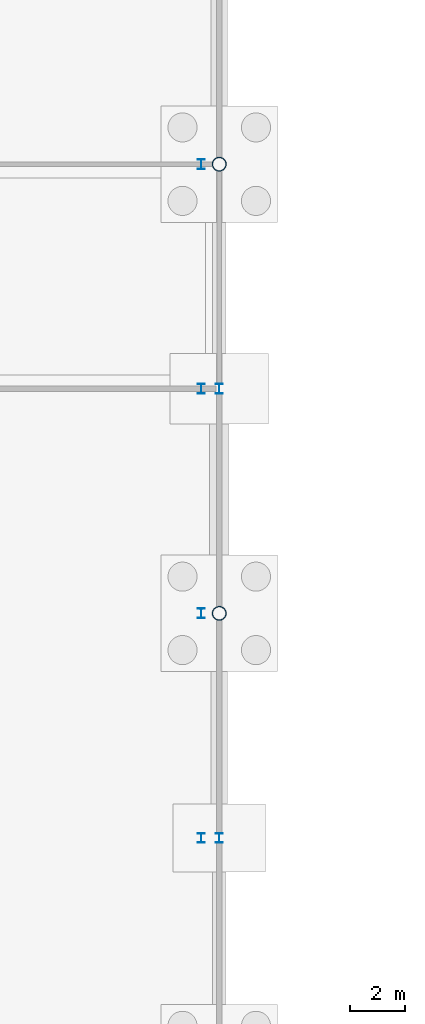
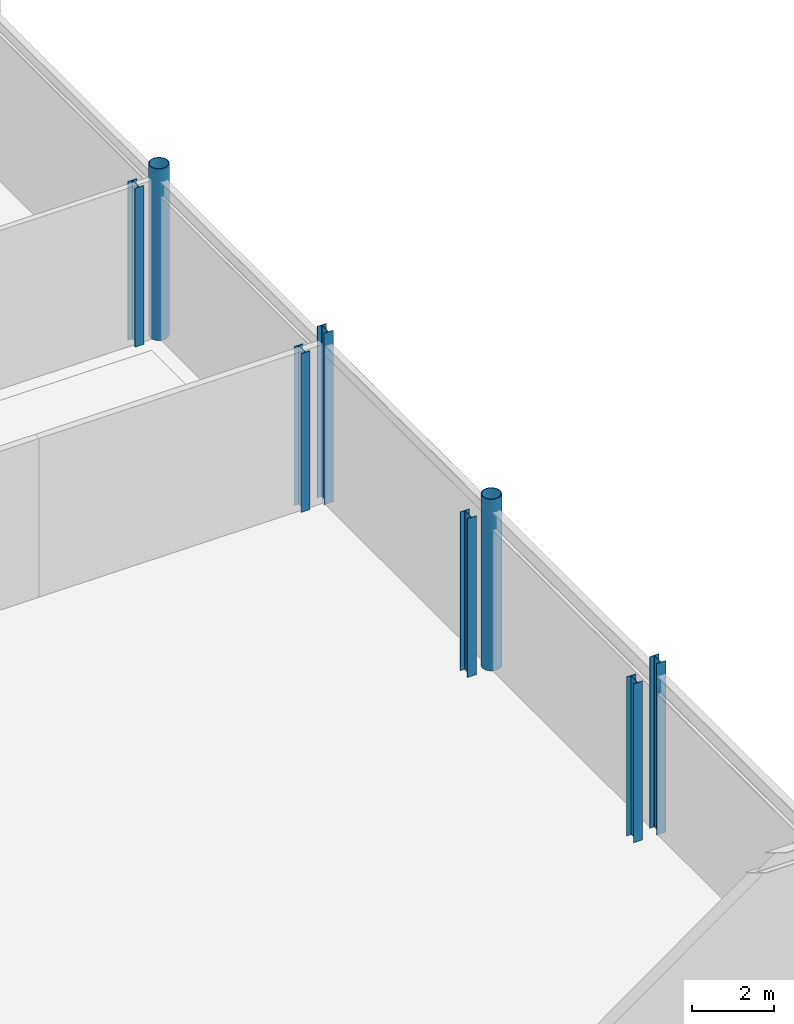
# One storey, part 19 of 67: 8 columns.
"""IFC4 building model written with IfcOpenShell, lengths in metres."""

from ifc_helpers import new_model, si_unit, direction, frame, origin, origin_2d, place, context, subcontext, project, spatial, hollow_circle, i_section, extrude, material, material_profile, profile_set, type_object, element, save


model = new_model("IFC4")

# Units and contexts
model_context = context("Model", 3, precision=1e-05, world=origin(), true_north=direction((0.0, 1.0)))
body_context = subcontext(model_context, "Body", "Model", "MODEL_VIEW")
ifc_project = project(units=[si_unit("LENGTHUNIT", "METRE"), si_unit("AREAUNIT", "SQUARE_METRE"), si_unit("VOLUMEUNIT", "CUBIC_METRE"), si_unit("PLANEANGLEUNIT", "RADIAN"), si_unit("MASSUNIT", "GRAM", prefix="KILO")], contexts=[model_context])

# Site, building, storey
site_placement = place(None, origin())
site = spatial("IfcSite", under=ifc_project, at=site_placement, CompositionType="ELEMENT")
building_placement = place(site_placement, origin())
building = spatial("IfcBuilding", under=site, at=building_placement, Name="Vaudrelin Polytechnic", CompositionType="ELEMENT")
storey_placement = place(building_placement, frame((0.0, 0.0, -5.10009765625)))
storey = spatial("IfcBuildingStorey", under=building, at=storey_placement, Name="B1", CompositionType="ELEMENT", Elevation=-5.10009765625)

# Columns
ifc_material_1 = material(Name="Steel CSA G40.21 350WT", Category="steel")
ifc_material_profile_1 = material_profile(ifc_material_1, hollow_circle(Radius=0.25390625, WallThickness=0.01904296875, at=origin_2d()), Name="CHS508.0x19.1")
ifc_profile_set_1 = profile_set([ifc_material_profile_1], Name="Steel CSA G40.21 350WT")
column_type_1 = type_object("IfcColumnType", Name="COL-C-TR508", PredefinedType="COLUMN", material=ifc_profile_set_1)
for number, where, z_axis, x_axis, name in (
    (1, (32.39990234375, 64.800048828125, 0.0), (0.0, 0.0, 1.0), (1.0, 0.0, 0.0), "Column B1 5-9"),
    (2, (32.39990234375, 81.0, 0.0), (0.0, 0.0, 1.0), (1.0, 0.0, 0.0), "Column B1 5-11"),
):
    element("IfcColumn", number, at=place(storey_placement, frame(where, z_axis=z_axis, x_axis=x_axis)), inside=storey, type_object=column_type_1, Name=name, PredefinedType="COLUMN", context=body_context, shape_type="SweptSolid", body=[
        extrude(hollow_circle(Radius=0.25390625, WallThickness=0.01904296875, at=origin_2d()), origin(), (0.0, 0.0, 1.0), 5.10009765625),
    ])
ifc_material_2 = material(Name="Steel CSA G40.21 350W", Category="steel")
ifc_material_profile_2 = material_profile(ifc_material_2, i_section(OverallWidth=0.25390625, OverallDepth=0.35302734375, WebThickness=0.009521484375, FlangeThickness=0.016357421875, FilletRadius=0.01611328125, at=origin_2d()), Name="W360x91")
ifc_profile_set_2 = profile_set([ifc_material_profile_2], Name="Steel CSA G40.21 350W")
column_type_2 = type_object("IfcColumnType", Name="COL-C-W360", PredefinedType="PILASTER", material=ifc_profile_set_2)
for number, where, z_axis, x_axis, name in (
    (3, (32.39990234375, 56.699951171875, 0.0), (0.0, 0.0, 1.0), (1.0, 0.0, 0.0), "Column B1 5-8"),
    (4, (32.39990234375, 72.89990234375, 0.0), (0.0, 0.0, 1.0), (1.0, 0.0, 0.0), "Column B1 5-10"),
):
    element("IfcColumn", number, at=place(storey_placement, frame(where, z_axis=z_axis, x_axis=x_axis)), inside=storey, type_object=column_type_2, Name=name, PredefinedType="PILASTER", context=body_context, shape_type="SweptSolid", body=[
        extrude(i_section(OverallWidth=0.25390625, OverallDepth=0.35302734375, WebThickness=0.009521484375, FlangeThickness=0.016357421875, FilletRadius=0.01611328125, at=origin_2d()), origin(), (0.0, 0.0, 1.0), 5.10009765625),
    ])
for number, where, z_axis, x_axis, name in (
    (5, (31.75, 56.699951171875, 0.0), (0.0, 0.0, 1.0), (1.0, 0.0, 0.0), "Basement crane support post EAST-7"),
    (6, (31.75, 64.800048828125, 0.0), (0.0, 0.0, 1.0), (1.0, 0.0, 0.0), "Basement crane support post EAST-8"),
    (7, (31.75, 72.89990234375, 0.0), (0.0, 0.0, 1.0), (1.0, 0.0, 0.0), "Basement crane support post EAST-9"),
    (8, (31.75, 81.0, 0.0), (0.0, 0.0, 1.0), (1.0, 0.0, 0.0), "Basement crane support post EAST-10"),
):
    element("IfcColumn", number, at=place(storey_placement, frame(where, z_axis=z_axis, x_axis=x_axis)), inside=storey, type_object=column_type_2, Name=name, PredefinedType="PILASTER", context=body_context, shape_type="SweptSolid", body=[
        extrude(i_section(OverallWidth=0.25390625, OverallDepth=0.35302734375, WebThickness=0.009521484375, FlangeThickness=0.016357421875, FilletRadius=0.01611328125, at=origin_2d()), origin(), (0.0, 0.0, 1.0), 4.72412109375),
    ])

save(model, "model.ifc")
